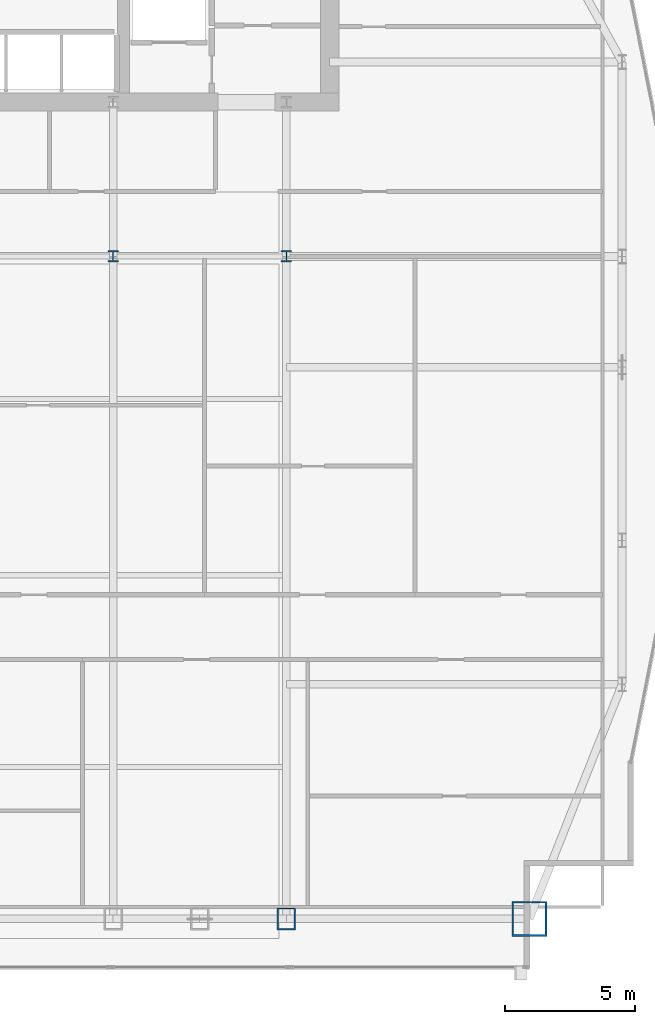
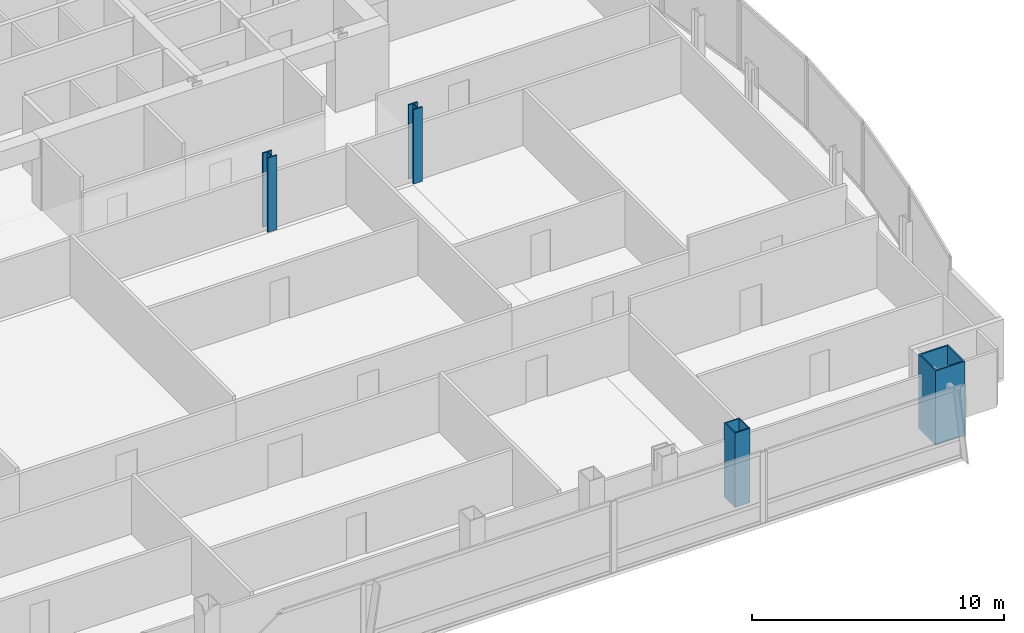
# One storey, part 2 of 29: 4 columns.
"""IFC4 building model written with IfcOpenShell, lengths in metres."""

import ifcopenshell
import ifcopenshell.guid

model = None  # the IFC model being written
_history = None  # IfcOwnerHistory: only IFC2X3 demands one
_inside = {}  # id of a spatial element -> (the spatial element, [elements in it])
_under = {}  # id of a project, library or spatial element -> (it, [spatial elements below it])
_declared = {}  # id of a project -> (the project, [libraries it declares])
_typed = {}  # id of a type object -> (the type object, [elements of that type])
_made_of = {}  # id of a material, layer set ... -> (it, [elements and type objects made of it])


def new_model(schema):
    """Start an empty IFC model of exactly this schema.

    Asked for "IFC4X3", IfcOpenShell would pick the latest addendum, in which some entities
    have other attributes; the version numbers below select the first issue.
    IFC2X3 requires an IfcOwnerHistory on every rooted entity: one is made here for all.
    """
    global model, _history
    if schema == "IFC4X3":
        model = ifcopenshell.file(schema_version=(4, 3, 0, 0))
    else:
        model = ifcopenshell.file(schema=schema)
    _inside.clear()
    _under.clear()
    _declared.clear()
    _typed.clear()
    _made_of.clear()
    _history = None
    if model.schema == "IFC2X3":
        org = make("IfcOrganization", Name="unknown")
        user = make(
            "IfcPersonAndOrganization",
            ThePerson=make("IfcPerson", FamilyName="unknown"),
            TheOrganization=org,
        )
        app = make(
            "IfcApplication",
            ApplicationDeveloper=org,
            Version="unknown",
            ApplicationFullName="unknown",
            ApplicationIdentifier="unknown",
        )
        _history = make(
            "IfcOwnerHistory",
            OwningUser=user,
            OwningApplication=app,
            ChangeAction="ADDED",
            CreationDate=0,
        )
    return model


def make(cls, **values):
    """One entity of the class cls with the attributes given. An attribute that is None is left unset."""
    return model.create_entity(
        cls, **{name: value for name, value in values.items() if value is not None}
    )


def rooted(cls, **values):
    """An entity with a GlobalId (a new one), such as an element, a storey or a relation."""
    return make(cls, GlobalId=ifcopenshell.guid.new(), OwnerHistory=_history, **values)


def si_unit(unit_type, name, prefix=None):
    """IfcSIUnit, for example si_unit("LENGTHUNIT", "METRE", prefix="MILLI")."""
    return make("IfcSIUnit", UnitType=unit_type, Prefix=prefix, Name=name)


def assignment(units):
    """IfcUnitAssignment: the units of a project."""
    return None if units is None else make("IfcUnitAssignment", Units=units)


def point(xyz):
    """IfcCartesianPoint."""
    return None if xyz is None else make("IfcCartesianPoint", Coordinates=xyz)


def direction(xyz):
    """IfcDirection."""
    return None if xyz is None else make("IfcDirection", DirectionRatios=xyz)


def frame(location, z_axis=None, x_axis=None):
    """IfcAxis2Placement3D, a coordinate frame: its origin and axes. An axis left out is left unset."""
    return make(
        "IfcAxis2Placement3D",
        Location=point(location),
        Axis=direction(z_axis),
        RefDirection=direction(x_axis),
    )


def frame_2d(location, x_axis=None):
    """IfcAxis2Placement2D, a coordinate frame in the plane: its origin and x axis."""
    return make(
        "IfcAxis2Placement2D", Location=point(location), RefDirection=direction(x_axis)
    )


def origin():
    """The frame at (0, 0, 0) with its axes left unset."""
    return frame((0.0, 0.0, 0.0))


def origin_2d():
    """The frame at (0, 0) in the plane with its x axis left unset."""
    return frame_2d((0.0, 0.0))


def place(relative_to, where):
    """IfcLocalPlacement: puts the frame where relative to a parent placement (None: the world)."""
    return make(
        "IfcLocalPlacement", PlacementRelTo=relative_to, RelativePlacement=where
    )


def context(
    kind, dimensions, precision=None, world=None, true_north=None, identifier=None
):
    """IfcGeometricRepresentationContext, for example the 3D "Model" context."""
    return make(
        "IfcGeometricRepresentationContext",
        ContextIdentifier=identifier,
        ContextType=kind,
        CoordinateSpaceDimension=dimensions,
        Precision=precision,
        WorldCoordinateSystem=world,
        TrueNorth=true_north,
    )


def subcontext(parent, identifier, kind, view, scale=None):
    """IfcGeometricRepresentationSubContext, for example "Body" below "Model"."""
    return make(
        "IfcGeometricRepresentationSubContext",
        ContextIdentifier=identifier,
        ContextType=kind,
        ParentContext=parent,
        TargetScale=scale,
        TargetView=view,
    )


def project(units=None, contexts=None):
    """IfcProject with its units and contexts."""
    return rooted(
        "IfcProject",
        Name="project",
        RepresentationContexts=contexts,
        UnitsInContext=assignment(units),
    )


def spatial(cls, under=None, at=None, **own):
    """A site, building, storey or space (cls), placed at a placement, below another one or the project."""
    s = rooted(cls, ObjectPlacement=at, **own)
    if under is not None:
        _under.setdefault(under.id(), (under, []))[1].append(s)
    return s


def profile(cls, at=None, kind="AREA", **sizes):
    """A parametric profile (cls). Its sizes go by their IFC names, for example OverallWidth=200.0."""
    return make(cls, ProfileType=kind, Position=at, **sizes)


def hollow_rectangle(**sizes):
    """IfcRectangleHollowProfileDef."""
    return profile("IfcRectangleHollowProfileDef", **sizes)


def i_section(**sizes):
    """IfcIShapeProfileDef."""
    return profile("IfcIShapeProfileDef", **sizes)


def extrude(swept, where, along, depth):
    """IfcExtrudedAreaSolid: the profile swept, set in the frame where, extruded along a direction by depth."""
    return make(
        "IfcExtrudedAreaSolid",
        SweptArea=swept,
        Position=where,
        ExtrudedDirection=direction(along),
        Depth=depth,
    )


def shape(context_of_items, identifier, shape_type, items):
    """IfcShapeRepresentation: the items that make up one representation, for example the "Body"."""
    return make(
        "IfcShapeRepresentation",
        ContextOfItems=context_of_items,
        RepresentationIdentifier=identifier,
        RepresentationType=shape_type,
        Items=items,
    )


def material(Name=None, Category=None):
    """IfcMaterial."""
    return make("IfcMaterial", Name=Name, Category=Category)


def material_profile(
    of_material, cross_section, Name=None, Category=None, Priority=None
):
    """IfcMaterialProfile: a cross section and its material."""
    return make(
        "IfcMaterialProfile",
        Name=Name,
        Material=of_material,
        Profile=cross_section,
        Priority=Priority,
        Category=Category,
    )


def profile_set(profiles, Name=None, composite=None):
    """IfcMaterialProfileSet."""
    return make(
        "IfcMaterialProfileSet",
        Name=Name,
        MaterialProfiles=profiles,
        CompositeProfile=composite,
    )


def made_of(thing, what):
    """Note that an element or type object is made of a material, layer set ...; save() writes the relation."""
    if what is not None:
        _made_of.setdefault(what.id(), (what, []))[1].append(thing)
    return thing


def type_object(cls, material=None, **own):
    """A type object (cls), such as IfcWallType, which elements share."""
    return made_of(rooted(cls, **own), material)


def element(
    cls,
    number,
    at=None,
    inside=None,
    cuts=None,
    type_object=None,
    material=None,
    context=None,
    identifier="Body",
    shape_type=None,
    held_by="IfcProductDefinitionShape",
    body=None,
    shapes=None,
    **own,
):
    """One element of the class cls, such as IfcWall. Its Tag is "e" and its number.

    at: its placement. inside: the storey or other place that contains it. cuts: it is an
    opening in that element (IfcRelVoidsElement). A single representation is given by context,
    identifier, shape_type and body (its items); several are given by shapes. held_by: the class
    of the entity that holds the representations. save() writes the other relations.
    """
    e = rooted(cls, Tag="e%d" % number, ObjectPlacement=at, **own)
    if body is not None:
        shapes = [shape(context, identifier, shape_type, body)]
    if shapes is not None:
        e.Representation = make(held_by, Representations=shapes)
    if inside is not None:
        _inside.setdefault(inside.id(), (inside, []))[1].append(e)
    if cuts is not None:
        rooted(
            "IfcRelVoidsElement", RelatingBuildingElement=cuts, RelatedOpeningElement=e
        )
    if type_object is not None:
        _typed.setdefault(type_object.id(), (type_object, []))[1].append(e)
    return made_of(e, material)


def aggregate(whole, parts):
    """IfcRelAggregates: a whole, such as a stair, and the parts it consists of."""
    return rooted("IfcRelAggregates", RelatingObject=whole, RelatedObjects=parts)


def save(model, path):
    """Write the relations noted so far, then the file.

    IfcRelAggregates (storeys below a building ...), IfcRelContainedInSpatialStructure (elements
    in a storey), IfcRelDefinesByType, IfcRelAssociatesMaterial and IfcRelDeclares: one each for
    every whole, place, type object, material and project.
    """
    for whole, parts in _under.values():
        aggregate(whole, parts)
    for where, things in _inside.values():
        rooted(
            "IfcRelContainedInSpatialStructure",
            RelatedElements=things,
            RelatingStructure=where,
        )
    for kind, things in _typed.values():
        rooted("IfcRelDefinesByType", RelatedObjects=things, RelatingType=kind)
    for what, things in _made_of.values():
        rooted("IfcRelAssociatesMaterial", RelatedObjects=things, RelatingMaterial=what)
    for by, libraries in _declared.values():
        rooted("IfcRelDeclares", RelatingContext=by, RelatedDefinitions=libraries)
    model.write(path)


model = new_model("IFC4")

# Units and contexts
model_context = context("Model", 3, precision=1e-05, world=origin(), true_north=direction((0.0, 1.0)))
body_context = subcontext(model_context, "Body", "Model", "MODEL_VIEW")
ifc_project = project(units=[si_unit("LENGTHUNIT", "METRE"), si_unit("AREAUNIT", "SQUARE_METRE"), si_unit("VOLUMEUNIT", "CUBIC_METRE"), si_unit("PLANEANGLEUNIT", "RADIAN"), si_unit("MASSUNIT", "GRAM", prefix="KILO")], contexts=[model_context])

# Site, building, storey
site_placement = place(None, origin())
site = spatial("IfcSite", under=ifc_project, at=site_placement, CompositionType="ELEMENT")
building_placement = place(site_placement, origin())
building = spatial("IfcBuilding", under=site, at=building_placement, Name="Khoronbel Lancet Exchange", CompositionType="ELEMENT")
storey_placement = place(building_placement, frame((0.0, 0.0, 154.199951171875)))
storey = spatial("IfcBuildingStorey", under=building, at=storey_placement, Name="L38", CompositionType="ELEMENT", Elevation=154.199951171875)

# Columns
ifc_material = material(Name="Steel S460", Category="steel")
ifc_material_profile_1 = material_profile(ifc_material, hollow_rectangle(XDim=0.699951171875, YDim=0.85009765625, WallThickness=0.050048828125, at=origin_2d()), Name="BOX 850x700x50")
ifc_profile_set_1 = profile_set([ifc_material_profile_1], Name="Steel S460")
column_type_1 = type_object("IfcColumnType", Name="COL-EC2", PredefinedType="COLUMN", material=ifc_profile_set_1)
column_1_placement = place(storey_placement, frame((54.675048828125, 10.14990234375, 0.0), z_axis=(0.0, 0.0, 1.0), x_axis=(1.0, 0.0, 0.0)))
element("IfcColumn", 1, at=column_1_placement, inside=storey, type_object=column_type_1, Name="Structural column SC-E2 L38", PredefinedType="COLUMN", context=body_context, shape_type="SweptSolid", body=[
    extrude(hollow_rectangle(XDim=0.699951171875, YDim=0.85009765625, WallThickness=0.050048828125, at=origin_2d()), origin(), (0.0, 0.0, 1.0), 3.60009765625),
])
ifc_material_profile_2 = material_profile(ifc_material, i_section(OverallWidth=0.416015625, OverallDepth=0.446044921875, WebThickness=0.0390625, FlangeThickness=0.062744140625, at=origin_2d()), Name="HD 400x509")
ifc_profile_set_2 = profile_set([ifc_material_profile_2], Name="Steel S460")
column_type_2 = type_object("IfcColumnType", Name="COL-IC2", PredefinedType="COLUMN", material=ifc_profile_set_2)
for number, where, z_axis, x_axis, name in (
    (2, (48.0, 35.699951171875, 0.0), (0.0, 0.0, 1.0), (1.0, 0.0, 0.0), "Spine gravity column TC3 L38"),
    (3, (54.675048828125, 35.699951171875, 0.0), (0.0, 0.0, 1.0), (1.0, 0.0, 0.0), "Spine gravity column TC4 L38"),
):
    element("IfcColumn", number, at=place(storey_placement, frame(where, z_axis=z_axis, x_axis=x_axis)), inside=storey, type_object=column_type_2, Name=name, PredefinedType="COLUMN", context=body_context, shape_type="SweptSolid", body=[
        extrude(i_section(OverallWidth=0.416015625, OverallDepth=0.446044921875, WebThickness=0.0390625, FlangeThickness=0.062744140625, at=origin_2d()), origin(), (0.0, 0.0, 1.0), 3.60009765625),
    ])
ifc_material_profile_3 = material_profile(ifc_material, hollow_rectangle(XDim=1.35009765625, YDim=1.35009765625, WallThickness=0.06494140625, at=origin_2d()), Name="BOX 1350x1350x65")
ifc_profile_set_3 = profile_set([ifc_material_profile_3], Name="Steel S460")
column_type_3 = type_object("IfcColumnType", Name="COL-MC4", PredefinedType="COLUMN", material=ifc_profile_set_3)
column_2_placement = place(storey_placement, frame((64.050048828125, 10.14990234375, 0.0), z_axis=(0.0, 0.0, 1.0), x_axis=(1.0, 0.0, 0.0)))
element("IfcColumn", 4, at=column_2_placement, inside=storey, type_object=column_type_3, Name="Structural column MC-SE L38", PredefinedType="COLUMN", context=body_context, shape_type="SweptSolid", body=[
    extrude(hollow_rectangle(XDim=1.35009765625, YDim=1.35009765625, WallThickness=0.06494140625, at=origin_2d()), origin(), (0.0, 0.0, 1.0), 3.60009765625),
])

save(model, "model.ifc")
